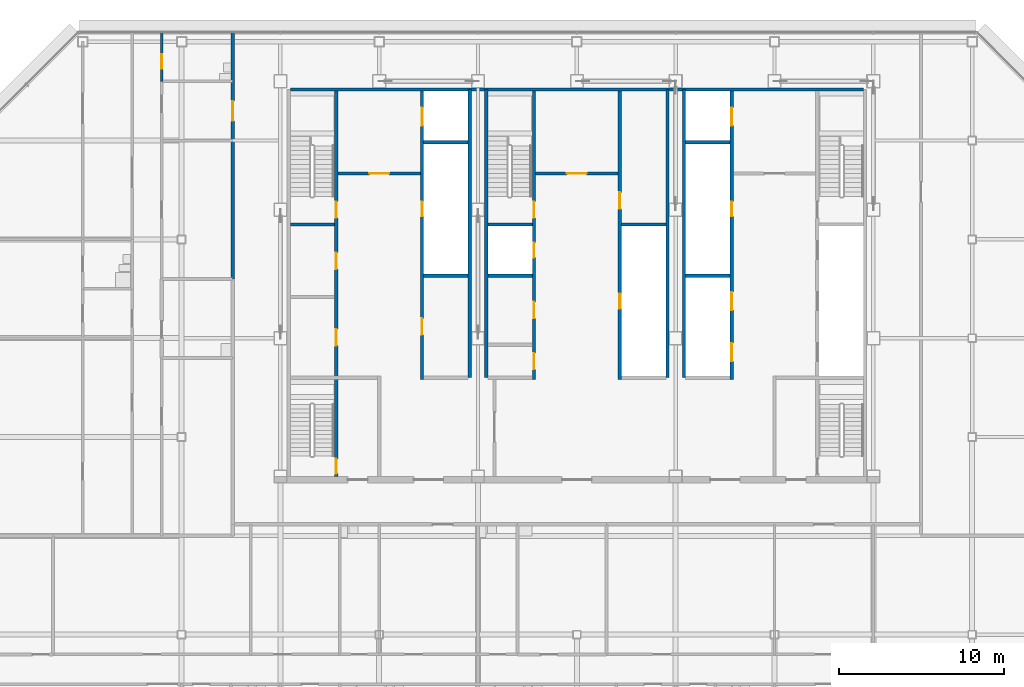
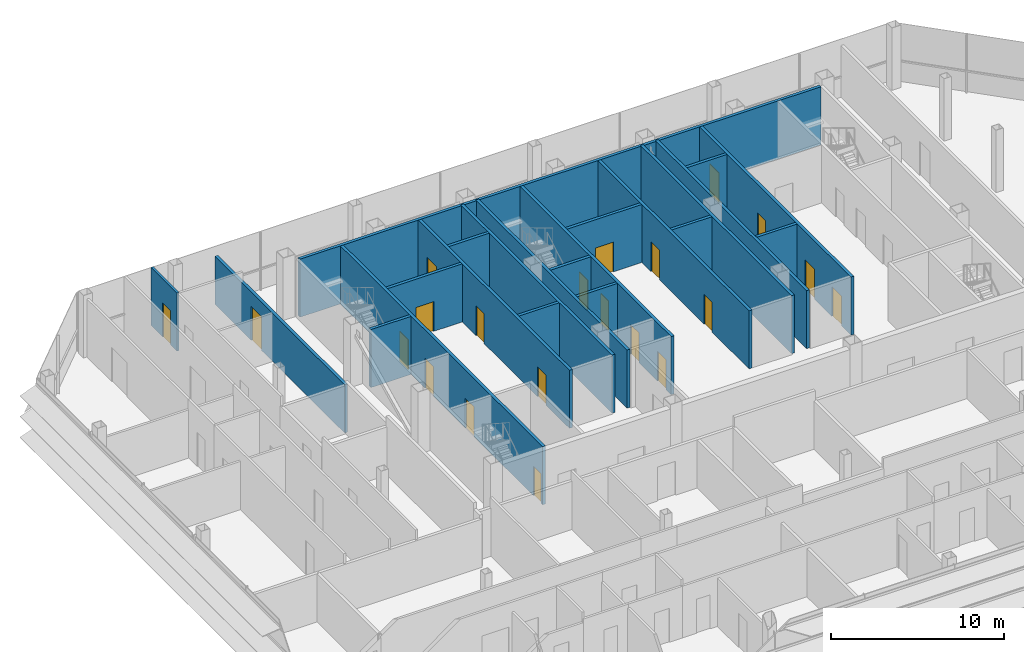
# One storey, part 24 of 29: 22 walls, 21 doors, 21 openings.
"""IFC4 building model written with IfcOpenShell, lengths in metres."""

from ifc_helpers import new_model, si_unit, direction, frame, frame_2d, origin, place, context, subcontext, project, spatial, rectangle, extrude, material, layer, layer_set, type_object, element, fill, save


model = new_model("IFC4")

# Units and contexts
model_context = context("Model", 3, precision=1e-05, world=origin(), true_north=direction((0.0, 1.0)))
body_context = subcontext(model_context, "Body", "Model", "MODEL_VIEW")
ifc_project = project(units=[si_unit("LENGTHUNIT", "METRE"), si_unit("AREAUNIT", "SQUARE_METRE"), si_unit("VOLUMEUNIT", "CUBIC_METRE"), si_unit("PLANEANGLEUNIT", "RADIAN"), si_unit("MASSUNIT", "GRAM", prefix="KILO")], contexts=[model_context])

# Site, building, storey
site_placement = place(None, origin())
site = spatial("IfcSite", under=ifc_project, at=site_placement, CompositionType="ELEMENT")
building_placement = place(site_placement, origin())
building = spatial("IfcBuilding", under=site, at=building_placement, Name="Sorahane Residences", CompositionType="ELEMENT")
storey_placement = place(building_placement, frame((0.0, 0.0, 277.39990234375)))
storey = spatial("IfcBuildingStorey", under=building, at=storey_placement, Name="L66", CompositionType="ELEMENT", Elevation=277.39990234375)

# Walls
ifc_material_1 = material(Name="Concrete C30", Category="concrete")
ifc_layer_1 = layer(ifc_material_1, 0.199951171875)
ifc_layer_set_1 = layer_set([ifc_layer_1], Name="Core face wall 200 EI 180")
wall_type_1 = type_object("IfcWallType", Name="Core face wall 200 EI 180", PredefinedType="SOLIDWALL", material=ifc_layer_set_1)
wall_1_placement = place(storey_placement, frame((6.60009765625, 45.10009765625, 0.0), z_axis=(0.0, 0.0, 1.0), x_axis=(1.0, 0.0, 0.0)))
element("IfcWall", 1, at=wall_1_placement, inside=storey, type_object=wall_type_1, Name="L66 core face wall", PredefinedType="SOLIDWALL", context=body_context, shape_type="SweptSolid", body=[
    extrude(rectangle(XDim=34.7998046875, YDim=0.199951171875, at=frame_2d((17.39990234375, 0.0))), origin(), (0.0, 0.0, 1.0), 4.10009765625),
])
for number, where, z_axis, x_axis, name in (
    (2, (17.5, 27.60009765625, 0.0), (0.0, 0.0, 1.0), (0.0, 1.0, 0.0), "L66 core face wall"),
    (3, (18.5, 27.60009765625, 0.0), (0.0, 0.0, 1.0), (0.0, 1.0, 0.0), "L66 core face wall"),
    (4, (29.5, 27.60009765625, 0.0), (0.0, 0.0, 1.0), (0.0, 1.0, 0.0), "L66 core face wall"),
    (5, (30.5, 27.60009765625, 0.0), (0.0, 0.0, 1.0), (0.0, 1.0, 0.0), "L66 core face wall"),
):
    element("IfcWall", number, at=place(storey_placement, frame(where, z_axis=z_axis, x_axis=x_axis)), inside=storey, type_object=wall_type_1, Name=name, PredefinedType="SOLIDWALL", context=body_context, shape_type="SweptSolid", body=[
        extrude(rectangle(XDim=17.5, YDim=0.199951171875, at=frame_2d((8.75, 0.0))), origin(), (0.0, 0.0, 1.0), 4.10009765625),
    ])

# Wall, opening, door
ifc_material_2 = material(Name="Concrete blockwork C20 wall", Category="masonry")
ifc_layer_2 = layer(ifc_material_2, 0.199951171875)
ifc_layer_set_2 = layer_set([ifc_layer_2], Name="Corridor wall 200 EI 120")
wall_type_2 = type_object("IfcWallType", Name="Corridor wall 200 EI 120", PredefinedType="SOLIDWALL", material=ifc_layer_set_2)
wall_2_placement = place(storey_placement, frame((3.10009765625, 33.60009765625, 0.0), z_axis=(0.0, 0.0, 1.0), x_axis=(0.0, 1.0, 0.0)))
wall_2 = element("IfcWall", 6, at=wall_2_placement, inside=storey, type_object=wall_type_2, Name="L66 corridor wall", PredefinedType="SOLIDWALL", context=body_context, shape_type="SweptSolid", body=[
    extrude(rectangle(XDim=15.0, YDim=0.199951171875, at=frame_2d((7.5, 0.0))), origin(), (0.0, 0.0, 1.0), 3.400146484375),
])
opening_1_placement = place(wall_2_placement, frame((9.60009765625, 0.0, 0.0)))
opening_1 = element("IfcOpeningElement", 7, at=opening_1_placement, cuts=wall_2, Name="Opening L66-44", PredefinedType="OPENING", context=body_context, shape_type="SweptSolid", body=[
    extrude(rectangle(XDim=1.199951171875, YDim=2.39990234375, at=frame_2d((0.60009765625, 1.199951171875))), frame((0.0, 0.10986328125, 0.0), z_axis=(0.0, -1.0, 0.0), x_axis=(1.0, 0.0, 0.0)), (0.0, 0.0, 1.0), 0.219970703125),
])
ifc_material_3 = material(Name="Timber veneered fire door", Category="wood")
door_type_1 = type_object("IfcDoorType", Name="Flat entrance door 1200x2400 FD60", OperationType="NOTDEFINED", PredefinedType="DOOR", material=ifc_material_3)
door_1_placement = place(opening_1_placement, origin())
door_1 = element("IfcDoor", 8, at=door_1_placement, inside=storey, type_object=door_type_1, Name="Flat entrance door L66-44", OperationType="SINGLE_SWING_LEFT", OverallHeight=2.39990234375, OverallWidth=1.199951171875, PredefinedType="DOOR", context=body_context, shape_type="SweptSolid", body=[
    extrude(rectangle(XDim=1.199951171875, YDim=2.39990234375, at=frame_2d((0.60009765625, 1.199951171875))), frame((0.0, 0.02490234375, 0.0), z_axis=(0.0, -1.0, 0.0), x_axis=(1.0, 0.0, 0.0)), (0.0, 0.0, 1.0), 0.050048828125),
])
fill(opening_1, door_1)

ifc_material_4 = material(Name="Concrete C30", Category="concrete")
ifc_layer_3 = layer(ifc_material_4, 0.199951171875)
ifc_layer_set_3 = layer_set([ifc_layer_3], Name="Front room wall 200 EI 120")
wall_type_3 = type_object("IfcWallType", Name="Front room wall 200 EI 120", PredefinedType="PARTITIONING", material=ifc_layer_set_3)
wall_3_placement = place(storey_placement, frame((21.5, 40.0, 0.0), z_axis=(0.0, 0.0, 1.0), x_axis=(1.0, 0.0, 0.0)))
wall_3 = element("IfcWall", 9, at=wall_3_placement, inside=storey, type_object=wall_type_3, Name="L66 front room wall", PredefinedType="PARTITIONING", context=body_context, shape_type="SweptSolid", body=[
    extrude(rectangle(XDim=5.0, YDim=0.199951171875, at=frame_2d((2.5, 0.0))), origin(), (0.0, 0.0, 1.0), 4.10009765625),
])
opening_2_placement = place(wall_3_placement, frame((1.89990234375, 0.0, 0.0)))
opening_2 = element("IfcOpeningElement", 10, at=opening_2_placement, cuts=wall_3, Name="Opening L66-C08", PredefinedType="OPENING", context=body_context, shape_type="SweptSolid", body=[
    extrude(rectangle(XDim=1.199951171875, YDim=2.10009765625, at=frame_2d((0.60009765625, 1.050048828125))), frame((0.0, 0.10986328125, 0.0), z_axis=(0.0, -1.0, 0.0), x_axis=(1.0, 0.0, 0.0)), (0.0, 0.0, 1.0), 0.219970703125),
])
ifc_material_5 = material(Name="Steel", Category="steel")
door_type_2 = type_object("IfcDoorType", Name="Front room door 1200x2100 FD120", OperationType="NOTDEFINED", PredefinedType="DOOR", material=ifc_material_5)
door_2_placement = place(opening_2_placement, frame((1.199951171875, 0.0, 0.0), z_axis=(0.0, 0.0, 1.0), x_axis=(-1.0, 0.0, 0.0)))
door_2 = element("IfcDoor", 11, at=door_2_placement, inside=storey, type_object=door_type_2, Name="Front room door Stair S3 vestibule L66", OperationType="DOUBLE_DOOR_SINGLE_SWING", OverallHeight=2.10009765625, OverallWidth=1.199951171875, PredefinedType="DOOR", context=body_context, shape_type="SweptSolid", body=[
    extrude(rectangle(XDim=1.199951171875, YDim=2.10009765625, at=frame_2d((0.60009765625, 1.050048828125))), frame((0.0, 0.02490234375, 0.0), z_axis=(0.0, -1.0, 0.0), x_axis=(1.0, 0.0, 0.0)), (0.0, 0.0, 1.0), 0.050048828125),
])
fill(opening_2, door_2)

wall_4_placement = place(storey_placement, frame((9.5, 40.0, 0.0), z_axis=(0.0, 0.0, 1.0), x_axis=(1.0, 0.0, 0.0)))
wall_4 = element("IfcWall", 12, at=wall_4_placement, inside=storey, type_object=wall_type_3, Name="L66 front room wall", PredefinedType="PARTITIONING", context=body_context, shape_type="SweptSolid", body=[
    extrude(rectangle(XDim=5.0, YDim=0.199951171875, at=frame_2d((2.5, 0.0))), origin(), (0.0, 0.0, 1.0), 4.10009765625),
])
opening_3_placement = place(wall_4_placement, frame((1.89990234375, 0.0, 0.0)))
opening_3 = element("IfcOpeningElement", 13, at=opening_3_placement, cuts=wall_4, Name="Opening L66-C07", PredefinedType="OPENING", context=body_context, shape_type="SweptSolid", body=[
    extrude(rectangle(XDim=1.199951171875, YDim=2.10009765625, at=frame_2d((0.60009765625, 1.050048828125))), frame((0.0, 0.10986328125, 0.0), z_axis=(0.0, -1.0, 0.0), x_axis=(1.0, 0.0, 0.0)), (0.0, 0.0, 1.0), 0.219970703125),
])
door_3_placement = place(opening_3_placement, frame((1.199951171875, 0.0, 0.0), z_axis=(0.0, 0.0, 1.0), x_axis=(-1.0, 0.0, 0.0)))
door_3 = element("IfcDoor", 14, at=door_3_placement, inside=storey, type_object=door_type_2, Name="Front room door Firefighting lobby FF1 front room L66", OperationType="DOUBLE_DOOR_SINGLE_SWING", OverallHeight=2.10009765625, OverallWidth=1.199951171875, PredefinedType="DOOR", context=body_context, shape_type="SweptSolid", body=[
    extrude(rectangle(XDim=1.199951171875, YDim=2.10009765625, at=frame_2d((0.60009765625, 1.050048828125))), frame((0.0, 0.02490234375, 0.0), z_axis=(0.0, -1.0, 0.0), x_axis=(1.0, 0.0, 0.0)), (0.0, 0.0, 1.0), 0.050048828125),
])
fill(opening_3, door_3)

# Wall, openings, doors
ifc_material_6 = material(Name="Concrete C30", Category="concrete")
ifc_layer_4 = layer(ifc_material_6, 0.199951171875)
ifc_layer_set_4 = layer_set([ifc_layer_4], Name="Lift shaft wall 200 EI 120")
wall_type_4 = type_object("IfcWallType", Name="Lift shaft wall 200 EI 120", PredefinedType="SOLIDWALL", material=ifc_layer_set_4)
wall_5_placement = place(storey_placement, frame((14.60009765625, 27.5, 0.0), z_axis=(0.0, 0.0, 1.0), x_axis=(0.0, 1.0, 0.0)))
wall_5 = element("IfcWall", 15, at=wall_5_placement, inside=storey, type_object=wall_type_4, Name="L66 lift shaft wall", PredefinedType="SOLIDWALL", context=body_context, shape_type="SweptSolid", body=[
    extrude(rectangle(XDim=17.5, YDim=0.199951171875, at=frame_2d((8.75, 0.0))), origin(), (0.0, 0.0, 1.0), 4.10009765625),
])
opening_4_placement = place(wall_5_placement, frame((15.39990234375, 0.0, 0.0)))
opening_4 = element("IfcOpeningElement", 16, at=opening_4_placement, cuts=wall_5, Name="Opening L66-C16", PredefinedType="OPENING", context=body_context, shape_type="SweptSolid", body=[
    extrude(rectangle(XDim=1.10009765625, YDim=2.10009765625, at=frame_2d((0.550048828125, 1.050048828125))), frame((0.0, 0.10986328125, 0.0), z_axis=(0.0, -1.0, 0.0), x_axis=(1.0, 0.0, 0.0)), (0.0, 0.0, 1.0), 0.219970703125),
])
opening_5_placement = place(wall_5_placement, frame((2.699951171875, 0.0, 0.0)))
opening_5 = element("IfcOpeningElement", 17, at=opening_5_placement, cuts=wall_5, Name="Opening L66-C19", PredefinedType="OPENING", context=body_context, shape_type="SweptSolid", body=[
    extrude(rectangle(XDim=1.0, YDim=2.10009765625, at=frame_2d((0.5, 1.050048828125))), frame((0.0, 0.10986328125, 0.0), z_axis=(0.0, -1.0, 0.0), x_axis=(1.0, 0.0, 0.0)), (0.0, 0.0, 1.0), 0.219970703125),
])
opening_6_placement = place(wall_5_placement, frame((9.89990234375, 0.0, 0.0)))
opening_6 = element("IfcOpeningElement", 18, at=opening_6_placement, cuts=wall_5, Name="Opening L66-C27", PredefinedType="OPENING", context=body_context, shape_type="SweptSolid", body=[
    extrude(rectangle(XDim=0.89990234375, YDim=2.10009765625, at=frame_2d((0.449951171875, 1.050048828125))), frame((0.0, 0.10986328125, 0.0), z_axis=(0.0, -1.0, 0.0), x_axis=(1.0, 0.0, 0.0)), (0.0, 0.0, 1.0), 0.219970703125),
])
ifc_material_7 = material(Name="Aluminium and stainless steel", Category="steel")
door_type_3 = type_object("IfcDoorType", Name="Lift landing door 1100x2100 E 60", OperationType="NOTDEFINED", PredefinedType="DOOR", material=ifc_material_7)
door_4_placement = place(opening_4_placement, origin())
door_4 = element("IfcDoor", 19, at=door_4_placement, inside=storey, type_object=door_type_3, Name="Lift landing door FF1 L66", OperationType="DOUBLE_DOOR_SLIDING", OverallHeight=2.10009765625, OverallWidth=1.10009765625, PredefinedType="DOOR", context=body_context, shape_type="SweptSolid", body=[
    extrude(rectangle(XDim=1.10009765625, YDim=2.10009765625, at=frame_2d((0.550048828125, 1.050048828125))), frame((0.0, 0.02490234375, 0.0), z_axis=(0.0, -1.0, 0.0), x_axis=(1.0, 0.0, 0.0)), (0.0, 0.0, 1.0), 0.050048828125),
])
fill(opening_4, door_4)
ifc_material_8 = material(Name="Steel", Category="steel")
door_type_4 = type_object("IfcDoorType", Name="Riser door 900x2100 FD120", OperationType="NOTDEFINED", PredefinedType="DOOR", material=ifc_material_8)
door_5_placement = place(opening_6_placement, origin())
door_5 = element("IfcDoor", 20, at=door_5_placement, inside=storey, type_object=door_type_4, Name="Riser door R1 L66", OperationType="SINGLE_SWING_LEFT", OverallHeight=2.10009765625, OverallWidth=0.89990234375, PredefinedType="DOOR", context=body_context, shape_type="SweptSolid", body=[
    extrude(rectangle(XDim=0.89990234375, YDim=2.10009765625, at=frame_2d((0.449951171875, 1.050048828125))), frame((0.0, 0.02490234375, 0.0), z_axis=(0.0, -1.0, 0.0), x_axis=(1.0, 0.0, 0.0)), (0.0, 0.0, 1.0), 0.050048828125),
])
fill(opening_6, door_5)
ifc_material_9 = material(Name="Steel", Category="steel")
door_type_5 = type_object("IfcDoorType", Name="Service room door 1000x2100 FD60", OperationType="NOTDEFINED", PredefinedType="DOOR", material=ifc_material_9)
door_6_placement = place(opening_5_placement, frame((1.0, 0.0, 0.0), z_axis=(0.0, 0.0, 1.0), x_axis=(-1.0, 0.0, 0.0)))
door_6 = element("IfcDoor", 21, at=door_6_placement, inside=storey, type_object=door_type_5, Name="Service room door Cinema room L66", OperationType="SINGLE_SWING_RIGHT", OverallHeight=2.10009765625, OverallWidth=1.0, PredefinedType="DOOR", context=body_context, shape_type="SweptSolid", body=[
    extrude(rectangle(XDim=1.0, YDim=2.10009765625, at=frame_2d((0.5, 1.050048828125))), frame((0.0, 0.02490234375, 0.0), z_axis=(0.0, -1.0, 0.0), x_axis=(1.0, 0.0, 0.0)), (0.0, 0.0, 1.0), 0.050048828125),
])
fill(opening_5, door_6)

wall_6_placement = place(storey_placement, frame((33.39990234375, 27.5, 0.0), z_axis=(0.0, 0.0, 1.0), x_axis=(0.0, 1.0, 0.0)))
wall_6 = element("IfcWall", 22, at=wall_6_placement, inside=storey, type_object=wall_type_4, Name="L66 lift shaft wall", PredefinedType="SOLIDWALL", context=body_context, shape_type="SweptSolid", body=[
    extrude(rectangle(XDim=17.5, YDim=0.199951171875, at=frame_2d((8.75, 0.0))), origin(), (0.0, 0.0, 1.0), 4.10009765625),
])
opening_7_placement = place(wall_6_placement, frame((1.10009765625, 0.0, 0.0)))
opening_7 = element("IfcOpeningElement", 23, at=opening_7_placement, cuts=wall_6, Name="Opening L66-C13", PredefinedType="OPENING", context=body_context, shape_type="SweptSolid", body=[
    extrude(rectangle(XDim=1.10009765625, YDim=2.10009765625, at=frame_2d((0.550048828125, 1.050048828125))), frame((0.0, 0.10986328125, 0.0), z_axis=(0.0, -1.0, 0.0), x_axis=(1.0, 0.0, 0.0)), (0.0, 0.0, 1.0), 0.219970703125),
])
opening_8_placement = place(wall_6_placement, frame((4.199951171875, 0.0, 0.0)))
opening_8 = element("IfcOpeningElement", 24, at=opening_8_placement, cuts=wall_6, Name="Opening L66-C14", PredefinedType="OPENING", context=body_context, shape_type="SweptSolid", body=[
    extrude(rectangle(XDim=1.10009765625, YDim=2.10009765625, at=frame_2d((0.550048828125, 1.050048828125))), frame((0.0, 0.10986328125, 0.0), z_axis=(0.0, -1.0, 0.0), x_axis=(1.0, 0.0, 0.0)), (0.0, 0.0, 1.0), 0.219970703125),
])
opening_9_placement = place(wall_6_placement, frame((15.39990234375, 0.0, 0.0)))
opening_9 = element("IfcOpeningElement", 25, at=opening_9_placement, cuts=wall_6, Name="Opening L66-C15", PredefinedType="OPENING", context=body_context, shape_type="SweptSolid", body=[
    extrude(rectangle(XDim=1.10009765625, YDim=2.10009765625, at=frame_2d((0.550048828125, 1.050048828125))), frame((0.0, 0.10986328125, 0.0), z_axis=(0.0, -1.0, 0.0), x_axis=(1.0, 0.0, 0.0)), (0.0, 0.0, 1.0), 0.219970703125),
])
opening_10_placement = place(wall_6_placement, frame((9.89990234375, 0.0, 0.0)))
opening_10 = element("IfcOpeningElement", 26, at=opening_10_placement, cuts=wall_6, Name="Opening L66-C28", PredefinedType="OPENING", context=body_context, shape_type="SweptSolid", body=[
    extrude(rectangle(XDim=0.89990234375, YDim=2.10009765625, at=frame_2d((0.449951171875, 1.050048828125))), frame((0.0, 0.10986328125, 0.0), z_axis=(0.0, -1.0, 0.0), x_axis=(1.0, 0.0, 0.0)), (0.0, 0.0, 1.0), 0.219970703125),
])
door_7_placement = place(opening_7_placement, origin())
door_7 = element("IfcDoor", 27, at=door_7_placement, inside=storey, type_object=door_type_3, Name="Lift landing door HR4 L66", OperationType="DOUBLE_DOOR_SLIDING", OverallHeight=2.10009765625, OverallWidth=1.10009765625, PredefinedType="DOOR", context=body_context, shape_type="SweptSolid", body=[
    extrude(rectangle(XDim=1.10009765625, YDim=2.10009765625, at=frame_2d((0.550048828125, 1.050048828125))), frame((0.0, 0.02490234375, 0.0), z_axis=(0.0, -1.0, 0.0), x_axis=(1.0, 0.0, 0.0)), (0.0, 0.0, 1.0), 0.050048828125),
])
fill(opening_7, door_7)
door_8_placement = place(opening_8_placement, origin())
door_8 = element("IfcDoor", 28, at=door_8_placement, inside=storey, type_object=door_type_3, Name="Lift landing door HR5 L66", OperationType="DOUBLE_DOOR_SLIDING", OverallHeight=2.10009765625, OverallWidth=1.10009765625, PredefinedType="DOOR", context=body_context, shape_type="SweptSolid", body=[
    extrude(rectangle(XDim=1.10009765625, YDim=2.10009765625, at=frame_2d((0.550048828125, 1.050048828125))), frame((0.0, 0.02490234375, 0.0), z_axis=(0.0, -1.0, 0.0), x_axis=(1.0, 0.0, 0.0)), (0.0, 0.0, 1.0), 0.050048828125),
])
fill(opening_8, door_8)
door_9_placement = place(opening_9_placement, origin())
door_9 = element("IfcDoor", 29, at=door_9_placement, inside=storey, type_object=door_type_3, Name="Lift landing door FF2 L66", OperationType="DOUBLE_DOOR_SLIDING", OverallHeight=2.10009765625, OverallWidth=1.10009765625, PredefinedType="DOOR", context=body_context, shape_type="SweptSolid", body=[
    extrude(rectangle(XDim=1.10009765625, YDim=2.10009765625, at=frame_2d((0.550048828125, 1.050048828125))), frame((0.0, 0.02490234375, 0.0), z_axis=(0.0, -1.0, 0.0), x_axis=(1.0, 0.0, 0.0)), (0.0, 0.0, 1.0), 0.050048828125),
])
fill(opening_9, door_9)
door_10_placement = place(opening_10_placement, frame((0.89990234375, 0.0, 0.0), z_axis=(0.0, 0.0, 1.0), x_axis=(-1.0, 0.0, 0.0)))
door_10 = element("IfcDoor", 30, at=door_10_placement, inside=storey, type_object=door_type_4, Name="Riser door R2 L66", OperationType="SINGLE_SWING_LEFT", OverallHeight=2.10009765625, OverallWidth=0.89990234375, PredefinedType="DOOR", context=body_context, shape_type="SweptSolid", body=[
    extrude(rectangle(XDim=0.89990234375, YDim=2.10009765625, at=frame_2d((0.449951171875, 1.050048828125))), frame((0.0, 0.02490234375, 0.0), z_axis=(0.0, -1.0, 0.0), x_axis=(1.0, 0.0, 0.0)), (0.0, 0.0, 1.0), 0.050048828125),
])
fill(opening_10, door_10)

# Walls
for number, where, z_axis, x_axis, name in (
    (31, (30.60009765625, 33.800048828125, 0.0), (0.0, 0.0, 1.0), (1.0, 0.0, 0.0), "L66 lift shaft wall"),
    (32, (14.699951171875, 41.89990234375, 0.0), (0.0, 0.0, 1.0), (1.0, 0.0, 0.0), "L66 lift shaft wall"),
    (33, (30.60009765625, 41.89990234375, 0.0), (0.0, 0.0, 1.0), (1.0, 0.0, 0.0), "L66 lift shaft wall"),
):
    element("IfcWall", number, at=place(storey_placement, frame(where, z_axis=z_axis, x_axis=x_axis)), inside=storey, type_object=wall_type_4, Name=name, PredefinedType="SOLIDWALL", context=body_context, shape_type="SweptSolid", body=[
        extrude(rectangle(XDim=2.699951171875, YDim=0.199951171875, at=frame_2d((1.35009765625, 0.0))), origin(), (0.0, 0.0, 1.0), 4.10009765625),
    ])

# Wall, openings, doors
ifc_material_10 = material(Name="Concrete C30", Category="concrete")
ifc_layer_5 = layer(ifc_material_10, 0.199951171875)
ifc_layer_set_5 = layer_set([ifc_layer_5], Name="Riser shaft wall 200 EI 120")
wall_type_5 = type_object("IfcWallType", Name="Riser shaft wall 200 EI 120", PredefinedType="SOLIDWALL", material=ifc_layer_set_5)
wall_7_placement = place(storey_placement, frame((26.60009765625, 27.5, 0.0), z_axis=(0.0, 0.0, 1.0), x_axis=(0.0, 1.0, 0.0)))
wall_7 = element("IfcWall", 34, at=wall_7_placement, inside=storey, type_object=wall_type_5, Name="L66 riser wall", PredefinedType="SOLIDWALL", context=body_context, shape_type="SweptSolid", body=[
    extrude(rectangle(XDim=17.5, YDim=0.199951171875, at=frame_2d((8.75, 0.0))), origin(), (0.0, 0.0, 1.0), 4.10009765625),
])
opening_11_placement = place(wall_7_placement, frame((4.300048828125, 0.0, 0.0)))
opening_11 = element("IfcOpeningElement", 35, at=opening_11_placement, cuts=wall_7, Name="Opening L66-C30", PredefinedType="OPENING", context=body_context, shape_type="SweptSolid", body=[
    extrude(rectangle(XDim=0.89990234375, YDim=2.10009765625, at=frame_2d((0.449951171875, 1.050048828125))), frame((0.0, 0.10986328125, 0.0), z_axis=(0.0, -1.0, 0.0), x_axis=(1.0, 0.0, 0.0)), (0.0, 0.0, 1.0), 0.219970703125),
])
opening_12_placement = place(wall_7_placement, frame((10.35009765625, 0.0, 0.0)))
opening_12 = element("IfcOpeningElement", 36, at=opening_12_placement, cuts=wall_7, Name="Opening L66-C31", PredefinedType="OPENING", context=body_context, shape_type="SweptSolid", body=[
    extrude(rectangle(XDim=1.0, YDim=2.10009765625, at=frame_2d((0.5, 1.050048828125))), frame((0.0, 0.10986328125, 0.0), z_axis=(0.0, -1.0, 0.0), x_axis=(1.0, 0.0, 0.0)), (0.0, 0.0, 1.0), 0.219970703125),
])
door_11_placement = place(opening_11_placement, origin())
door_11 = element("IfcDoor", 37, at=door_11_placement, inside=storey, type_object=door_type_4, Name="Riser door R4 L66", OperationType="SINGLE_SWING_LEFT", OverallHeight=2.10009765625, OverallWidth=0.89990234375, PredefinedType="DOOR", context=body_context, shape_type="SweptSolid", body=[
    extrude(rectangle(XDim=0.89990234375, YDim=2.10009765625, at=frame_2d((0.449951171875, 1.050048828125))), frame((0.0, 0.02490234375, 0.0), z_axis=(0.0, -1.0, 0.0), x_axis=(1.0, 0.0, 0.0)), (0.0, 0.0, 1.0), 0.050048828125),
])
fill(opening_11, door_11)
door_12_placement = place(opening_12_placement, frame((1.0, 0.0, 0.0), z_axis=(0.0, 0.0, 1.0), x_axis=(-1.0, 0.0, 0.0)))
door_12 = element("IfcDoor", 38, at=door_12_placement, inside=storey, type_object=door_type_5, Name="Service room door Housekeeping store L66", OperationType="SINGLE_SWING_LEFT", OverallHeight=2.10009765625, OverallWidth=1.0, PredefinedType="DOOR", context=body_context, shape_type="SweptSolid", body=[
    extrude(rectangle(XDim=1.0, YDim=2.10009765625, at=frame_2d((0.5, 1.050048828125))), frame((0.0, 0.02490234375, 0.0), z_axis=(0.0, -1.0, 0.0), x_axis=(1.0, 0.0, 0.0)), (0.0, 0.0, 1.0), 0.050048828125),
])
fill(opening_12, door_12)

# Walls
for number, where, z_axis, x_axis, name in (
    (39, (14.699951171875, 33.800048828125, 0.0), (0.0, 0.0, 1.0), (1.0, 0.0, 0.0), "L66 riser wall"),
    (40, (18.60009765625, 33.800048828125, 0.0), (0.0, 0.0, 1.0), (1.0, 0.0, 0.0), "L66 riser wall"),
    (41, (26.699951171875, 36.89990234375, 0.0), (0.0, 0.0, 1.0), (1.0, 0.0, 0.0), "L66 riser wall"),
):
    element("IfcWall", number, at=place(storey_placement, frame(where, z_axis=z_axis, x_axis=x_axis)), inside=storey, type_object=wall_type_5, Name=name, PredefinedType="SOLIDWALL", context=body_context, shape_type="SweptSolid", body=[
        extrude(rectangle(XDim=2.699951171875, YDim=0.199951171875, at=frame_2d((1.35009765625, 0.0))), origin(), (0.0, 0.0, 1.0), 4.10009765625),
    ])

# Wall, openings, doors
ifc_material_11 = material(Name="Concrete C30", Category="concrete")
ifc_layer_6 = layer(ifc_material_11, 0.199951171875)
ifc_layer_set_6 = layer_set([ifc_layer_6], Name="Stair enclosure wall 200 EI 120")
wall_type_6 = type_object("IfcWallType", Name="Stair enclosure wall 200 EI 120", PredefinedType="SOLIDWALL", material=ifc_layer_set_6)
wall_8_placement = place(storey_placement, frame((21.39990234375, 27.5, 0.0), z_axis=(0.0, 0.0, 1.0), x_axis=(0.0, 1.0, 0.0)))
wall_8 = element("IfcWall", 42, at=wall_8_placement, inside=storey, type_object=wall_type_6, Name="L66 stair enclosure wall", PredefinedType="SOLIDWALL", context=body_context, shape_type="SweptSolid", body=[
    extrude(rectangle(XDim=17.5, YDim=0.199951171875, at=frame_2d((8.75, 0.0))), origin(), (0.0, 0.0, 1.0), 4.10009765625),
])
opening_13_placement = place(wall_8_placement, frame((0.60009765625, 0.0, 0.0)))
opening_13 = element("IfcOpeningElement", 43, at=opening_13_placement, cuts=wall_8, Name="Opening L66-C17", PredefinedType="OPENING", context=body_context, shape_type="SweptSolid", body=[
    extrude(rectangle(XDim=1.0, YDim=2.10009765625, at=frame_2d((0.5, 1.050048828125))), frame((0.0, 0.10986328125, 0.0), z_axis=(0.0, -1.0, 0.0), x_axis=(1.0, 0.0, 0.0)), (0.0, 0.0, 1.0), 0.219970703125),
])
opening_14_placement = place(wall_8_placement, frame((3.699951171875, 0.0, 0.0)))
opening_14 = element("IfcOpeningElement", 44, at=opening_14_placement, cuts=wall_8, Name="Opening L66-C18", PredefinedType="OPENING", context=body_context, shape_type="SweptSolid", body=[
    extrude(rectangle(XDim=1.0, YDim=2.10009765625, at=frame_2d((0.5, 1.050048828125))), frame((0.0, 0.10986328125, 0.0), z_axis=(0.0, -1.0, 0.0), x_axis=(1.0, 0.0, 0.0)), (0.0, 0.0, 1.0), 0.219970703125),
])
opening_15_placement = place(wall_8_placement, frame((9.800048828125, 0.0, 0.0)))
opening_15 = element("IfcOpeningElement", 45, at=opening_15_placement, cuts=wall_8, Name="Opening L66-C24", PredefinedType="OPENING", context=body_context, shape_type="SweptSolid", body=[
    extrude(rectangle(XDim=1.0, YDim=2.10009765625, at=frame_2d((0.5, 1.050048828125))), frame((0.0, 0.10986328125, 0.0), z_axis=(0.0, -1.0, 0.0), x_axis=(1.0, 0.0, 0.0)), (0.0, 0.0, 1.0), 0.219970703125),
])
opening_16_placement = place(wall_8_placement, frame((7.39990234375, 0.0, 0.0)))
opening_16 = element("IfcOpeningElement", 46, at=opening_16_placement, cuts=wall_8, Name="Opening L66-C29", PredefinedType="OPENING", context=body_context, shape_type="SweptSolid", body=[
    extrude(rectangle(XDim=0.89990234375, YDim=2.10009765625, at=frame_2d((0.449951171875, 1.050048828125))), frame((0.0, 0.10986328125, 0.0), z_axis=(0.0, -1.0, 0.0), x_axis=(1.0, 0.0, 0.0)), (0.0, 0.0, 1.0), 0.219970703125),
])
door_13_placement = place(opening_16_placement, frame((0.89990234375, 0.0, 0.0), z_axis=(0.0, 0.0, 1.0), x_axis=(-1.0, 0.0, 0.0)))
door_13 = element("IfcDoor", 47, at=door_13_placement, inside=storey, type_object=door_type_4, Name="Riser door R3 L66", OperationType="SINGLE_SWING_LEFT", OverallHeight=2.10009765625, OverallWidth=0.89990234375, PredefinedType="DOOR", context=body_context, shape_type="SweptSolid", body=[
    extrude(rectangle(XDim=0.89990234375, YDim=2.10009765625, at=frame_2d((0.449951171875, 1.050048828125))), frame((0.0, 0.02490234375, 0.0), z_axis=(0.0, -1.0, 0.0), x_axis=(1.0, 0.0, 0.0)), (0.0, 0.0, 1.0), 0.050048828125),
])
fill(opening_16, door_13)
door_14_placement = place(opening_13_placement, origin())
door_14 = element("IfcDoor", 48, at=door_14_placement, inside=storey, type_object=door_type_5, Name="Service room door Gift store L66", OperationType="SINGLE_SWING_LEFT", OverallHeight=2.10009765625, OverallWidth=1.0, PredefinedType="DOOR", context=body_context, shape_type="SweptSolid", body=[
    extrude(rectangle(XDim=1.0, YDim=2.10009765625, at=frame_2d((0.5, 1.050048828125))), frame((0.0, 0.02490234375, 0.0), z_axis=(0.0, -1.0, 0.0), x_axis=(1.0, 0.0, 0.0)), (0.0, 0.0, 1.0), 0.050048828125),
])
fill(opening_13, door_14)
door_15_placement = place(opening_14_placement, origin())
door_15 = element("IfcDoor", 49, at=door_15_placement, inside=storey, type_object=door_type_5, Name="Service room door Audio room L66", OperationType="SINGLE_SWING_RIGHT", OverallHeight=2.10009765625, OverallWidth=1.0, PredefinedType="DOOR", context=body_context, shape_type="SweptSolid", body=[
    extrude(rectangle(XDim=1.0, YDim=2.10009765625, at=frame_2d((0.5, 1.050048828125))), frame((0.0, 0.02490234375, 0.0), z_axis=(0.0, -1.0, 0.0), x_axis=(1.0, 0.0, 0.0)), (0.0, 0.0, 1.0), 0.050048828125),
])
fill(opening_14, door_15)
ifc_material_12 = material(Name="Steel", Category="steel")
door_type_6 = type_object("IfcDoorType", Name="Stair door 1000x2100 FD120", OperationType="NOTDEFINED", PredefinedType="DOOR", material=ifc_material_12)
door_16_placement = place(opening_15_placement, origin())
door_16 = element("IfcDoor", 50, at=door_16_placement, inside=storey, type_object=door_type_6, Name="Stair door S3 L66", OperationType="SINGLE_SWING_LEFT", OverallHeight=2.10009765625, OverallWidth=1.0, PredefinedType="DOOR", context=body_context, shape_type="SweptSolid", body=[
    extrude(rectangle(XDim=1.0, YDim=2.10009765625, at=frame_2d((0.5, 1.050048828125))), frame((0.0, 0.02490234375, 0.0), z_axis=(0.0, -1.0, 0.0), x_axis=(1.0, 0.0, 0.0)), (0.0, 0.0, 1.0), 0.050048828125),
])
fill(opening_15, door_16)

wall_9_placement = place(storey_placement, frame((9.39990234375, 21.60009765625, 0.0), z_axis=(0.0, 0.0, 1.0), x_axis=(0.0, 1.0, 0.0)))
wall_9 = element("IfcWall", 51, at=wall_9_placement, inside=storey, type_object=wall_type_6, Name="L66 stair enclosure wall", PredefinedType="SOLIDWALL", context=body_context, shape_type="SweptSolid", body=[
    extrude(rectangle(XDim=23.39990234375, YDim=0.199951171875, at=frame_2d((11.699951171875, 0.0))), origin(), (0.0, 0.0, 1.0), 4.10009765625),
])
opening_17_placement = place(wall_9_placement, frame((7.949951171875, 0.0, 0.0)))
opening_17 = element("IfcOpeningElement", 52, at=opening_17_placement, cuts=wall_9, Name="Opening L66-C20", PredefinedType="OPENING", context=body_context, shape_type="SweptSolid", body=[
    extrude(rectangle(XDim=1.0, YDim=2.10009765625, at=frame_2d((0.5, 1.050048828125))), frame((0.0, 0.10986328125, 0.0), z_axis=(0.0, -1.0, 0.0), x_axis=(1.0, 0.0, 0.0)), (0.0, 0.0, 1.0), 0.219970703125),
])
opening_18_placement = place(wall_9_placement, frame((12.60009765625, 0.0, 0.0)))
opening_18 = element("IfcOpeningElement", 53, at=opening_18_placement, cuts=wall_9, Name="Opening L66-C21", PredefinedType="OPENING", context=body_context, shape_type="SweptSolid", body=[
    extrude(rectangle(XDim=1.0, YDim=2.10009765625, at=frame_2d((0.5, 1.050048828125))), frame((0.0, 0.10986328125, 0.0), z_axis=(0.0, -1.0, 0.0), x_axis=(1.0, 0.0, 0.0)), (0.0, 0.0, 1.0), 0.219970703125),
])
opening_19_placement = place(wall_9_placement, frame((15.699951171875, 0.0, 0.0)))
opening_19 = element("IfcOpeningElement", 54, at=opening_19_placement, cuts=wall_9, Name="Opening L66-C22", PredefinedType="OPENING", context=body_context, shape_type="SweptSolid", body=[
    extrude(rectangle(XDim=1.0, YDim=2.10009765625, at=frame_2d((0.5, 1.050048828125))), frame((0.0, 0.10986328125, 0.0), z_axis=(0.0, -1.0, 0.0), x_axis=(1.0, 0.0, 0.0)), (0.0, 0.0, 1.0), 0.219970703125),
])
opening_20_placement = place(wall_9_placement, frame((0.175048828125, 0.0, 0.0)))
opening_20 = element("IfcOpeningElement", 55, at=opening_20_placement, cuts=wall_9, Name="Opening L66-C25", PredefinedType="OPENING", context=body_context, shape_type="SweptSolid", body=[
    extrude(rectangle(XDim=0.89990234375, YDim=2.10009765625, at=frame_2d((0.449951171875, 1.050048828125))), frame((0.0, 0.10986328125, 0.0), z_axis=(0.0, -1.0, 0.0), x_axis=(1.0, 0.0, 0.0)), (0.0, 0.0, 1.0), 0.219970703125),
])
door_17_placement = place(opening_17_placement, origin())
door_17 = element("IfcDoor", 56, at=door_17_placement, inside=storey, type_object=door_type_5, Name="Service room door Cinema room L66", OperationType="SINGLE_SWING_LEFT", OverallHeight=2.10009765625, OverallWidth=1.0, PredefinedType="DOOR", context=body_context, shape_type="SweptSolid", body=[
    extrude(rectangle(XDim=1.0, YDim=2.10009765625, at=frame_2d((0.5, 1.050048828125))), frame((0.0, 0.02490234375, 0.0), z_axis=(0.0, -1.0, 0.0), x_axis=(1.0, 0.0, 0.0)), (0.0, 0.0, 1.0), 0.050048828125),
])
fill(opening_17, door_17)
door_18_placement = place(opening_18_placement, origin())
door_18 = element("IfcDoor", 57, at=door_18_placement, inside=storey, type_object=door_type_5, Name="Service room door Archive L66", OperationType="SINGLE_SWING_RIGHT", OverallHeight=2.10009765625, OverallWidth=1.0, PredefinedType="DOOR", context=body_context, shape_type="SweptSolid", body=[
    extrude(rectangle(XDim=1.0, YDim=2.10009765625, at=frame_2d((0.5, 1.050048828125))), frame((0.0, 0.02490234375, 0.0), z_axis=(0.0, -1.0, 0.0), x_axis=(1.0, 0.0, 0.0)), (0.0, 0.0, 1.0), 0.050048828125),
])
fill(opening_18, door_18)
door_19_placement = place(opening_19_placement, origin())
door_19 = element("IfcDoor", 58, at=door_19_placement, inside=storey, type_object=door_type_6, Name="Stair door S1 L66", OperationType="SINGLE_SWING_LEFT", OverallHeight=2.10009765625, OverallWidth=1.0, PredefinedType="DOOR", context=body_context, shape_type="SweptSolid", body=[
    extrude(rectangle(XDim=1.0, YDim=2.10009765625, at=frame_2d((0.5, 1.050048828125))), frame((0.0, 0.02490234375, 0.0), z_axis=(0.0, -1.0, 0.0), x_axis=(1.0, 0.0, 0.0)), (0.0, 0.0, 1.0), 0.050048828125),
])
fill(opening_19, door_19)
ifc_material_13 = material(Name="Steel", Category="steel")
door_type_7 = type_object("IfcDoorType", Name="Stair door 900x2100 FD120", OperationType="NOTDEFINED", PredefinedType="DOOR", material=ifc_material_13)
door_20_placement = place(opening_20_placement, origin())
door_20 = element("IfcDoor", 59, at=door_20_placement, inside=storey, type_object=door_type_7, Name="Stair door S4 L66", OperationType="SINGLE_SWING_LEFT", OverallHeight=2.10009765625, OverallWidth=0.89990234375, PredefinedType="DOOR", context=body_context, shape_type="SweptSolid", body=[
    extrude(rectangle(XDim=0.89990234375, YDim=2.10009765625, at=frame_2d((0.449951171875, 1.050048828125))), frame((0.0, 0.02490234375, 0.0), z_axis=(0.0, -1.0, 0.0), x_axis=(1.0, 0.0, 0.0)), (0.0, 0.0, 1.0), 0.050048828125),
])
fill(opening_20, door_20)

# Walls
for number, where, z_axis, x_axis, name in (
    (60, (18.60009765625, 36.89990234375, 0.0), (0.0, 0.0, 1.0), (1.0, 0.0, 0.0), "L66 stair enclosure wall"),
    (61, (6.60009765625, 36.89990234375, 0.0), (0.0, 0.0, 1.0), (1.0, 0.0, 0.0), "L66 stair enclosure wall"),
):
    element("IfcWall", number, at=place(storey_placement, frame(where, z_axis=z_axis, x_axis=x_axis)), inside=storey, type_object=wall_type_6, Name=name, PredefinedType="SOLIDWALL", context=body_context, shape_type="SweptSolid", body=[
        extrude(rectangle(XDim=2.699951171875, YDim=0.199951171875, at=frame_2d((1.35009765625, 0.0))), origin(), (0.0, 0.0, 1.0), 4.10009765625),
    ])

# Wall, opening, door
ifc_material_14 = material(Name="Gypsum board partition on steel studs", Category="steel")
ifc_layer_7 = layer(ifc_material_14, 0.14990234375)
ifc_layer_set_7 = layer_set([ifc_layer_7], Name="Wet wall 150 EI 90")
wall_type_7 = type_object("IfcWallType", Name="Wet wall 150 EI 90", PredefinedType="PARTITIONING", material=ifc_layer_set_7)
wall_10_placement = place(storey_placement, frame((-1.199951171875, 45.60009765625, 0.0), z_axis=(0.0, 0.0, 1.0), x_axis=(0.0, 1.0, 0.0)))
wall_10 = element("IfcWall", 62, at=wall_10_placement, inside=storey, type_object=wall_type_7, Name="L66 wet wall", PredefinedType="PARTITIONING", context=body_context, shape_type="SweptSolid", body=[
    extrude(rectangle(XDim=3.0, YDim=0.14990234375, at=frame_2d((1.5, 0.0))), origin(), (0.0, 0.0, 1.0), 4.10009765625),
])
opening_21_placement = place(wall_10_placement, frame((0.75, 0.0, 0.0)))
opening_21 = element("IfcOpeningElement", 63, at=opening_21_placement, cuts=wall_10, Name="Opening L66-34", PredefinedType="OPENING", context=body_context, shape_type="SweptSolid", body=[
    extrude(rectangle(XDim=0.89990234375, YDim=2.39990234375, at=frame_2d((0.449951171875, 1.199951171875))), frame((0.0, 0.0849609375, 0.0), z_axis=(0.0, -1.0, 0.0), x_axis=(1.0, 0.0, 0.0)), (0.0, 0.0, 1.0), 0.169921875),
])
ifc_material_15 = material(Name="Timber veneered fire door", Category="wood")
door_type_8 = type_object("IfcDoorType", Name="Bathroom door 900x2400 FD30", OperationType="NOTDEFINED", PredefinedType="DOOR", material=ifc_material_15)
door_21_placement = place(opening_21_placement, origin())
door_21 = element("IfcDoor", 64, at=door_21_placement, inside=storey, type_object=door_type_8, Name="Bathroom door L66-34", OperationType="SINGLE_SWING_LEFT", OverallHeight=2.39990234375, OverallWidth=0.89990234375, PredefinedType="DOOR", context=body_context, shape_type="SweptSolid", body=[
    extrude(rectangle(XDim=0.89990234375, YDim=2.39990234375, at=frame_2d((0.449951171875, 1.199951171875))), frame((0.0, 0.02490234375, 0.0), z_axis=(0.0, -1.0, 0.0), x_axis=(1.0, 0.0, 0.0)), (0.0, 0.0, 1.0), 0.050048828125),
])
fill(opening_21, door_21)

save(model, "model.ifc")
